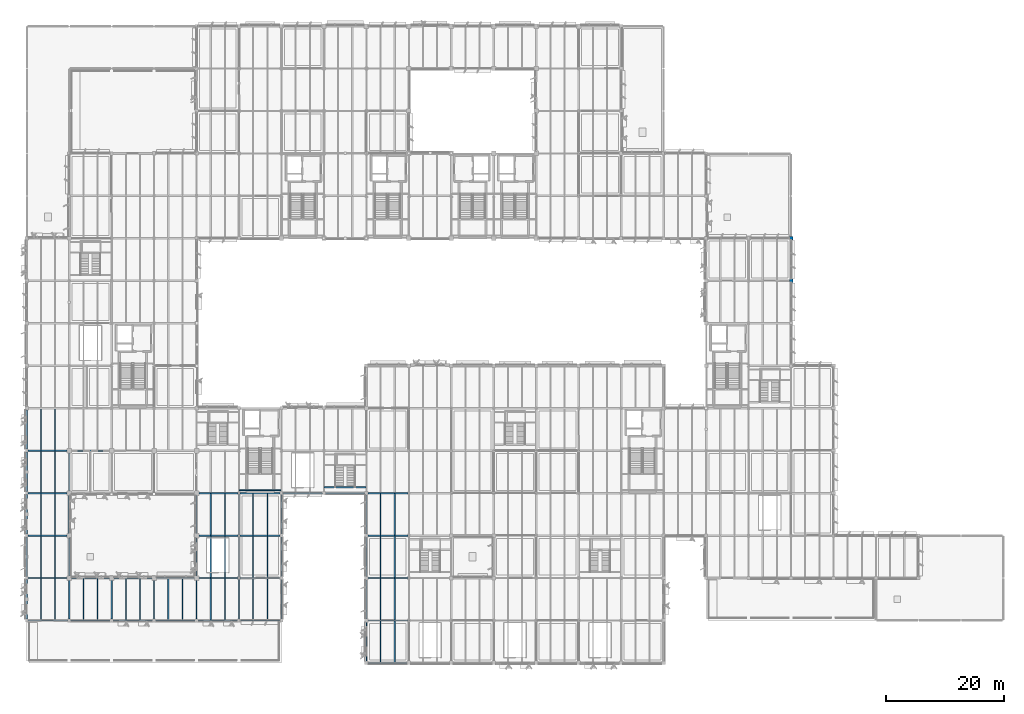
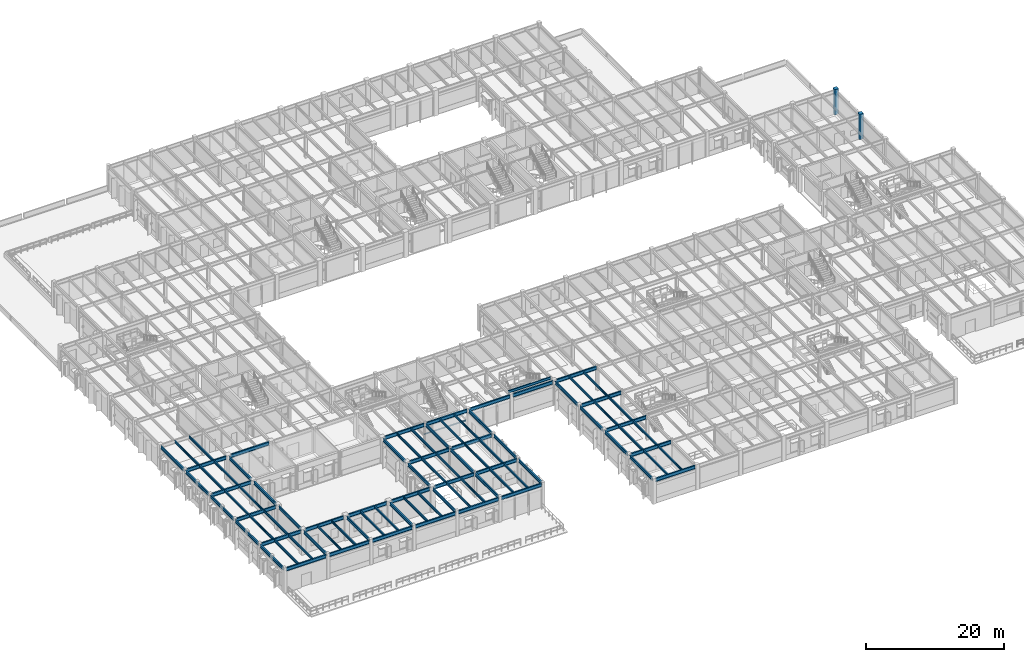
# One storey, part 15 of 92: 89 beams, 2 columns.
"""IFC4 building model written with IfcOpenShell, lengths in metres."""

from ifc_helpers import new_model, si_unit, direction, frame, origin, origin_2d, place, context, subcontext, project, spatial, rectangle, i_section, extrude, material, material_profile, profile_set, type_object, element, save


model = new_model("IFC4")

# Units and contexts
model_context = context("Model", 3, precision=1e-05, world=origin(), true_north=direction((0.0, 1.0)))
body_context = subcontext(model_context, "Body", "Model", "MODEL_VIEW")
ifc_project = project(units=[si_unit("LENGTHUNIT", "METRE"), si_unit("AREAUNIT", "SQUARE_METRE"), si_unit("VOLUMEUNIT", "CUBIC_METRE"), si_unit("PLANEANGLEUNIT", "RADIAN"), si_unit("MASSUNIT", "GRAM", prefix="KILO")], contexts=[model_context])

# Site, building, storey
site_placement = place(None, origin())
site = spatial("IfcSite", under=ifc_project, at=site_placement, CompositionType="ELEMENT")
building_placement = place(site_placement, origin())
building = spatial("IfcBuilding", under=site, at=building_placement, Name="Sillqori Civic Hall", CompositionType="ELEMENT")
storey_placement = place(building_placement, frame((0.0, 0.0, 5.39990234375)))
storey = spatial("IfcBuildingStorey", under=building, at=storey_placement, Name="L02", CompositionType="ELEMENT", Elevation=5.39990234375)

# Columns
ifc_material_1 = material(Name="Concrete C35/45 (H35)", Category="concrete")
ifc_material_profile_1 = material_profile(ifc_material_1, rectangle(XDim=0.60009765625, YDim=0.60009765625, at=origin_2d()), Name="RC 600x600")
ifc_profile_set_1 = profile_set([ifc_material_profile_1], Name="Concrete C35/45 (H35)")
column_type = type_object("IfcColumnType", Name="COL-RC600", PredefinedType="COLUMN", material=ifc_profile_set_1)
for number, where, z_axis, x_axis, name in (
    (1, (136.800048828125, 72.0, 0.0), (0.0, 0.0, 1.0), (1.0, 0.0, 0.0), "L02 column 19-10"),
    (2, (136.800048828125, 79.199951171875, 0.0), (0.0, 0.0, 1.0), (1.0, 0.0, 0.0), "L02 column 19-11"),
):
    element("IfcColumn", number, at=place(storey_placement, frame(where, z_axis=z_axis, x_axis=x_axis)), inside=storey, type_object=column_type, Name=name, PredefinedType="COLUMN", context=body_context, shape_type="SweptSolid", body=[
        extrude(rectangle(XDim=0.60009765625, YDim=0.60009765625, at=origin_2d()), origin(), (0.0, 0.0, 1.0), 4.5),
    ])

# Beams
ifc_material_2 = material(Name="Steel ASTM A992", Category="steel")
ifc_material_profile_2 = material_profile(ifc_material_2, i_section(OverallWidth=0.19091796875, OverallDepth=0.4599609375, WebThickness=0.010009765625, FlangeThickness=0.01611328125, FilletRadius=0.012939453125, at=origin_2d()), Name="W18X55")
ifc_profile_set_2 = profile_set([ifc_material_profile_2], Name="Steel ASTM A992")
beam_type_1 = type_object("IfcBeamType", Name="BM-W18X55", PredefinedType="BEAM", material=ifc_profile_set_2)
beam_1_placement = place(storey_placement, frame((57.639892578125, 37.0, 4.0751953125), z_axis=(1.0, 0.0, 0.0), x_axis=(0.0, 1.0, 0.0)))
element("IfcBeam", 3, at=beam_1_placement, inside=storey, type_object=beam_type_1, Name="Council Link Gallery Stair L02-L03 upper arrival trimmer beam", PredefinedType="BEAM", context=body_context, shape_type="SweptSolid", body=[
    extrude(i_section(OverallWidth=0.19091796875, OverallDepth=0.4599609375, WebThickness=0.010009765625, FlangeThickness=0.01611328125, FilletRadius=0.012939453125, at=origin_2d()), origin(), (0.0, 0.0, 1.0), 7.1201171875),
])
ifc_material_profile_3 = material_profile(ifc_material_2, i_section(OverallWidth=0.2099609375, OverallDepth=0.532958984375, WebThickness=0.01025390625, FlangeThickness=0.015625, FilletRadius=0.013916015625, at=origin_2d()), Name="W21X62")
ifc_profile_set_3 = profile_set([ifc_material_profile_3], Name="Steel ASTM A992")
beam_type_2 = type_object("IfcBeamType", Name="BM-W21X62", PredefinedType="BEAM", material=ifc_profile_set_3)
for number, where, z_axis, x_axis, name in (
    (4, (7.199951171875, 14.64404296875, 4.03369140625), (0.0, 1.0, 0.0), (-1.0, 0.0, 0.0), "L02 girder Y 1-2"),
    (5, (7.199951171875, 21.843994140625, 4.03369140625), (0.0, 1.0, 0.0), (-1.0, 0.0, 0.0), "L02 girder Y 1-3"),
):
    element("IfcBeam", number, at=place(storey_placement, frame(where, z_axis=z_axis, x_axis=x_axis)), inside=storey, type_object=beam_type_2, Name=name, PredefinedType="BEAM", context=body_context, shape_type="SweptSolid", body=[
        extrude(i_section(OverallWidth=0.2099609375, OverallDepth=0.532958984375, WebThickness=0.01025390625, FlangeThickness=0.015625, FilletRadius=0.013916015625, at=origin_2d()), origin(), (0.0, 0.0, 1.0), 6.7119140625),
    ])
for number, where, z_axis, x_axis, name in (
    (6, (7.199951171875, 29.0439453125, 4.03369140625), (0.0, 1.0, 0.0), (-1.0, 0.0, 0.0), "L02 girder Y 1-4"),
    (7, (7.199951171875, 36.243896484375, 4.03369140625), (0.0, 1.0, 0.0), (-1.0, 0.0, 0.0), "L02 girder Y 1-5"),
):
    element("IfcBeam", number, at=place(storey_placement, frame(where, z_axis=z_axis, x_axis=x_axis)), inside=storey, type_object=beam_type_2, Name=name, PredefinedType="BEAM", context=body_context, shape_type="SweptSolid", body=[
        extrude(i_section(OverallWidth=0.2099609375, OverallDepth=0.532958984375, WebThickness=0.01025390625, FlangeThickness=0.015625, FilletRadius=0.013916015625, at=origin_2d()), origin(), (0.0, 0.0, 1.0), 6.712158203125),
    ])
beam_2_placement = place(storey_placement, frame((7.199951171875, 43.444091796875, 4.03369140625), z_axis=(0.0, 1.0, 0.0), x_axis=(-1.0, 0.0, 0.0)))
element("IfcBeam", 8, at=beam_2_placement, inside=storey, type_object=beam_type_2, Name="L02 girder Y 1-6", PredefinedType="BEAM", context=body_context, shape_type="SweptSolid", body=[
    extrude(i_section(OverallWidth=0.2099609375, OverallDepth=0.532958984375, WebThickness=0.01025390625, FlangeThickness=0.015625, FilletRadius=0.013916015625, at=origin_2d()), origin(), (0.0, 0.0, 1.0), 6.661865234375),
])
beam_3_placement = place(storey_placement, frame((14.39990234375, 14.64404296875, 4.03369140625), z_axis=(0.0, 1.0, 0.0), x_axis=(-1.0, 0.0, 0.0)))
element("IfcBeam", 9, at=beam_3_placement, inside=storey, type_object=beam_type_2, Name="L02 girder Y 2-2", PredefinedType="BEAM", context=body_context, shape_type="SweptSolid", body=[
    extrude(i_section(OverallWidth=0.2099609375, OverallDepth=0.532958984375, WebThickness=0.01025390625, FlangeThickness=0.015625, FilletRadius=0.013916015625, at=origin_2d()), origin(), (0.0, 0.0, 1.0), 6.5869140625),
])
beam_4_placement = place(storey_placement, frame((14.39990234375, 21.968994140625, 4.03369140625), z_axis=(0.0, 1.0, 0.0), x_axis=(-1.0, 0.0, 0.0)))
element("IfcBeam", 10, at=beam_4_placement, inside=storey, type_object=beam_type_2, Name="L02 girder Y 2-3", PredefinedType="BEAM", context=body_context, shape_type="SweptSolid", body=[
    extrude(i_section(OverallWidth=0.2099609375, OverallDepth=0.532958984375, WebThickness=0.01025390625, FlangeThickness=0.015625, FilletRadius=0.013916015625, at=origin_2d()), origin(), (0.0, 0.0, 1.0), 6.4619140625),
])
for number, where, z_axis, x_axis, name in (
    (11, (14.39990234375, 29.1689453125, 4.03369140625), (0.0, 1.0, 0.0), (-1.0, 0.0, 0.0), "L02 girder Y 2-4"),
    (12, (14.39990234375, 36.368896484375, 4.03369140625), (0.0, 1.0, 0.0), (-1.0, 0.0, 0.0), "L02 girder Y 2-5"),
):
    element("IfcBeam", number, at=place(storey_placement, frame(where, z_axis=z_axis, x_axis=x_axis)), inside=storey, type_object=beam_type_2, Name=name, PredefinedType="BEAM", context=body_context, shape_type="SweptSolid", body=[
        extrude(i_section(OverallWidth=0.2099609375, OverallDepth=0.532958984375, WebThickness=0.01025390625, FlangeThickness=0.015625, FilletRadius=0.013916015625, at=origin_2d()), origin(), (0.0, 0.0, 1.0), 6.462158203125),
    ])
for number, where, z_axis, x_axis, name in (
    (13, (21.60009765625, 14.64404296875, 4.03369140625), (0.0, 1.0, 0.0), (-1.0, 0.0, 0.0), "L02 girder Y 3-2"),
    (14, (28.800048828125, 14.64404296875, 4.03369140625), (0.0, 1.0, 0.0), (-1.0, 0.0, 0.0), "L02 girder Y 4-2"),
    (15, (36.0, 14.64404296875, 4.03369140625), (0.0, 1.0, 0.0), (-1.0, 0.0, 0.0), "L02 girder Y 5-2"),
):
    element("IfcBeam", number, at=place(storey_placement, frame(where, z_axis=z_axis, x_axis=x_axis)), inside=storey, type_object=beam_type_2, Name=name, PredefinedType="BEAM", context=body_context, shape_type="SweptSolid", body=[
        extrude(i_section(OverallWidth=0.2099609375, OverallDepth=0.532958984375, WebThickness=0.01025390625, FlangeThickness=0.015625, FilletRadius=0.013916015625, at=origin_2d()), origin(), (0.0, 0.0, 1.0), 6.5869140625),
    ])
beam_5_placement = place(storey_placement, frame((36.0, 21.968994140625, 4.03369140625), z_axis=(0.0, 1.0, 0.0), x_axis=(-1.0, 0.0, 0.0)))
element("IfcBeam", 16, at=beam_5_placement, inside=storey, type_object=beam_type_2, Name="L02 girder Y 5-3", PredefinedType="BEAM", context=body_context, shape_type="SweptSolid", body=[
    extrude(i_section(OverallWidth=0.2099609375, OverallDepth=0.532958984375, WebThickness=0.01025390625, FlangeThickness=0.015625, FilletRadius=0.013916015625, at=origin_2d()), origin(), (0.0, 0.0, 1.0), 6.4619140625),
])
beam_6_placement = place(storey_placement, frame((36.0, 29.1689453125, 4.03369140625), z_axis=(0.0, 1.0, 0.0), x_axis=(-1.0, 0.0, 0.0)))
element("IfcBeam", 17, at=beam_6_placement, inside=storey, type_object=beam_type_2, Name="L02 girder Y 5-4", PredefinedType="BEAM", context=body_context, shape_type="SweptSolid", body=[
    extrude(i_section(OverallWidth=0.2099609375, OverallDepth=0.532958984375, WebThickness=0.01025390625, FlangeThickness=0.015625, FilletRadius=0.013916015625, at=origin_2d()), origin(), (0.0, 0.0, 1.0), 6.462158203125),
])
beam_7_placement = place(storey_placement, frame((43.199951171875, 14.64404296875, 4.03369140625), z_axis=(0.0, 1.0, 0.0), x_axis=(-1.0, 0.0, 0.0)))
element("IfcBeam", 18, at=beam_7_placement, inside=storey, type_object=beam_type_2, Name="L02 girder Y 6-2", PredefinedType="BEAM", context=body_context, shape_type="SweptSolid", body=[
    extrude(i_section(OverallWidth=0.2099609375, OverallDepth=0.532958984375, WebThickness=0.01025390625, FlangeThickness=0.015625, FilletRadius=0.013916015625, at=origin_2d()), origin(), (0.0, 0.0, 1.0), 6.781494140625),
])
beam_8_placement = place(storey_placement, frame((43.199951171875, 21.7744140625, 4.03369140625), z_axis=(0.0, 1.0, 0.0), x_axis=(-1.0, 0.0, 0.0)))
element("IfcBeam", 19, at=beam_8_placement, inside=storey, type_object=beam_type_2, Name="L02 girder Y 6-3", PredefinedType="BEAM", context=body_context, shape_type="SweptSolid", body=[
    extrude(i_section(OverallWidth=0.2099609375, OverallDepth=0.532958984375, WebThickness=0.01025390625, FlangeThickness=0.015625, FilletRadius=0.013916015625, at=origin_2d()), origin(), (0.0, 0.0, 1.0), 6.85107421875),
])
beam_9_placement = place(storey_placement, frame((43.199951171875, 28.974609375, 4.03369140625), z_axis=(0.0, 1.0, 0.0), x_axis=(-1.0, 0.0, 0.0)))
element("IfcBeam", 20, at=beam_9_placement, inside=storey, type_object=beam_type_2, Name="L02 girder Y 6-4", PredefinedType="BEAM", context=body_context, shape_type="SweptSolid", body=[
    extrude(i_section(OverallWidth=0.2099609375, OverallDepth=0.532958984375, WebThickness=0.01025390625, FlangeThickness=0.015625, FilletRadius=0.013916015625, at=origin_2d()), origin(), (0.0, 0.0, 1.0), 6.850830078125),
])
for number, where, z_axis, x_axis, name in (
    (21, (50.39990234375, 14.64404296875, 4.03369140625), (0.0, 1.0, 0.0), (-1.0, 0.0, 0.0), "L02 girder Y 7-2"),
    (22, (50.39990234375, 21.843994140625, 4.03369140625), (0.0, 1.0, 0.0), (-1.0, 0.0, 0.0), "L02 girder Y 7-3"),
):
    element("IfcBeam", number, at=place(storey_placement, frame(where, z_axis=z_axis, x_axis=x_axis)), inside=storey, type_object=beam_type_2, Name=name, PredefinedType="BEAM", context=body_context, shape_type="SweptSolid", body=[
        extrude(i_section(OverallWidth=0.2099609375, OverallDepth=0.532958984375, WebThickness=0.01025390625, FlangeThickness=0.015625, FilletRadius=0.013916015625, at=origin_2d()), origin(), (0.0, 0.0, 1.0), 6.7119140625),
    ])
beam_10_placement = place(storey_placement, frame((50.39990234375, 29.0439453125, 4.03369140625), z_axis=(0.0, 1.0, 0.0), x_axis=(-1.0, 0.0, 0.0)))
element("IfcBeam", 23, at=beam_10_placement, inside=storey, type_object=beam_type_2, Name="L02 girder Y 7-4", PredefinedType="BEAM", context=body_context, shape_type="SweptSolid", body=[
    extrude(i_section(OverallWidth=0.2099609375, OverallDepth=0.532958984375, WebThickness=0.01025390625, FlangeThickness=0.015625, FilletRadius=0.013916015625, at=origin_2d()), origin(), (0.0, 0.0, 1.0), 6.712158203125),
])
beam_11_placement = place(storey_placement, frame((64.800048828125, 7.493896484375, 4.03369140625), z_axis=(0.0, 1.0, 0.0), x_axis=(-1.0, 0.0, 0.0)))
element("IfcBeam", 24, at=beam_11_placement, inside=storey, type_object=beam_type_2, Name="L02 girder Y 9-1", PredefinedType="BEAM", context=body_context, shape_type="SweptSolid", body=[
    extrude(i_section(OverallWidth=0.2099609375, OverallDepth=0.532958984375, WebThickness=0.01025390625, FlangeThickness=0.015625, FilletRadius=0.013916015625, at=origin_2d()), origin(), (0.0, 0.0, 1.0), 6.612060546875),
])
beam_12_placement = place(storey_placement, frame((64.800048828125, 14.694091796875, 4.03369140625), z_axis=(0.0, 1.0, 0.0), x_axis=(-1.0, 0.0, 0.0)))
element("IfcBeam", 25, at=beam_12_placement, inside=storey, type_object=beam_type_2, Name="L02 girder Y 9-2", PredefinedType="BEAM", context=body_context, shape_type="SweptSolid", body=[
    extrude(i_section(OverallWidth=0.2099609375, OverallDepth=0.532958984375, WebThickness=0.01025390625, FlangeThickness=0.015625, FilletRadius=0.013916015625, at=origin_2d()), origin(), (0.0, 0.0, 1.0), 6.61181640625),
])
for number, where, z_axis, x_axis, name in (
    (26, (64.800048828125, 21.89404296875, 4.03369140625), (0.0, 1.0, 0.0), (-1.0, 0.0, 0.0), "L02 girder Y 9-3"),
    (27, (64.800048828125, 29.093994140625, 4.03369140625), (0.0, 1.0, 0.0), (-1.0, 0.0, 0.0), "L02 girder Y 9-4"),
):
    element("IfcBeam", number, at=place(storey_placement, frame(where, z_axis=z_axis, x_axis=x_axis)), inside=storey, type_object=beam_type_2, Name=name, PredefinedType="BEAM", context=body_context, shape_type="SweptSolid", body=[
        extrude(i_section(OverallWidth=0.2099609375, OverallDepth=0.532958984375, WebThickness=0.01025390625, FlangeThickness=0.015625, FilletRadius=0.013916015625, at=origin_2d()), origin(), (0.0, 0.0, 1.0), 6.612060546875),
    ])
ifc_material_profile_4 = material_profile(ifc_material_2, i_section(OverallWidth=0.22802734375, OverallDepth=0.60205078125, WebThickness=0.010498046875, FlangeThickness=0.014892578125, FilletRadius=0.014892578125, at=origin_2d()), Name="W24X68")
ifc_profile_set_4 = profile_set([ifc_material_profile_4], Name="Steel ASTM A992")
beam_type_3 = type_object("IfcBeamType", Name="BM-W24X68", PredefinedType="BEAM", material=ifc_profile_set_4)
beam_13_placement = place(storey_placement, frame((7.444091796875, 14.39990234375, 3.9990234375), z_axis=(1.0, 0.0, 0.0), x_axis=(0.0, 1.0, 0.0)))
element("IfcBeam", 28, at=beam_13_placement, inside=storey, type_object=beam_type_3, Name="L02 girder X 1-2", PredefinedType="BEAM", context=body_context, shape_type="SweptSolid", body=[
    extrude(i_section(OverallWidth=0.22802734375, OverallDepth=0.60205078125, WebThickness=0.010498046875, FlangeThickness=0.014892578125, FilletRadius=0.014892578125, at=origin_2d()), origin(), (0.0, 0.0, 1.0), 6.7119140625),
])
for number, where, z_axis, x_axis, name in (
    (29, (7.444091796875, 21.60009765625, 3.9990234375), (1.0, 0.0, 0.0), (0.0, 1.0, 0.0), "L02 girder X 1-3"),
    (30, (7.444091796875, 28.800048828125, 3.9990234375), (1.0, 0.0, 0.0), (0.0, 1.0, 0.0), "L02 girder X 1-4"),
    (31, (7.444091796875, 36.0, 3.9990234375), (1.0, 0.0, 0.0), (0.0, 1.0, 0.0), "L02 girder X 1-5"),
    (32, (7.444091796875, 43.199951171875, 3.9990234375), (1.0, 0.0, 0.0), (0.0, 1.0, 0.0), "L02 girder X 1-6"),
):
    element("IfcBeam", number, at=place(storey_placement, frame(where, z_axis=z_axis, x_axis=x_axis)), inside=storey, type_object=beam_type_3, Name=name, PredefinedType="BEAM", context=body_context, shape_type="SweptSolid", body=[
        extrude(i_section(OverallWidth=0.22802734375, OverallDepth=0.60205078125, WebThickness=0.010498046875, FlangeThickness=0.014892578125, FilletRadius=0.014892578125, at=origin_2d()), origin(), (0.0, 0.0, 1.0), 6.5869140625),
    ])
beam_14_placement = place(storey_placement, frame((14.64404296875, 14.39990234375, 3.9990234375), z_axis=(1.0, 0.0, 0.0), x_axis=(0.0, 1.0, 0.0)))
element("IfcBeam", 33, at=beam_14_placement, inside=storey, type_object=beam_type_3, Name="L02 girder X 2-2", PredefinedType="BEAM", context=body_context, shape_type="SweptSolid", body=[
    extrude(i_section(OverallWidth=0.22802734375, OverallDepth=0.60205078125, WebThickness=0.010498046875, FlangeThickness=0.014892578125, FilletRadius=0.014892578125, at=origin_2d()), origin(), (0.0, 0.0, 1.0), 6.7119140625),
])
for number, where, z_axis, x_axis, name in (
    (34, (14.76904296875, 21.60009765625, 3.9990234375), (1.0, 0.0, 0.0), (0.0, 1.0, 0.0), "L02 girder X 2-3"),
    (35, (14.76904296875, 43.199951171875, 3.9990234375), (1.0, 0.0, 0.0), (0.0, 1.0, 0.0), "L02 girder X 2-6"),
):
    element("IfcBeam", number, at=place(storey_placement, frame(where, z_axis=z_axis, x_axis=x_axis)), inside=storey, type_object=beam_type_3, Name=name, PredefinedType="BEAM", context=body_context, shape_type="SweptSolid", body=[
        extrude(i_section(OverallWidth=0.22802734375, OverallDepth=0.60205078125, WebThickness=0.010498046875, FlangeThickness=0.014892578125, FilletRadius=0.014892578125, at=origin_2d()), origin(), (0.0, 0.0, 1.0), 6.4619140625),
    ])
beam_15_placement = place(storey_placement, frame((21.843994140625, 14.39990234375, 3.9990234375), z_axis=(1.0, 0.0, 0.0), x_axis=(0.0, 1.0, 0.0)))
element("IfcBeam", 36, at=beam_15_placement, inside=storey, type_object=beam_type_3, Name="L02 girder X 3-2", PredefinedType="BEAM", context=body_context, shape_type="SweptSolid", body=[
    extrude(i_section(OverallWidth=0.22802734375, OverallDepth=0.60205078125, WebThickness=0.010498046875, FlangeThickness=0.014892578125, FilletRadius=0.014892578125, at=origin_2d()), origin(), (0.0, 0.0, 1.0), 6.7119140625),
])
beam_16_placement = place(storey_placement, frame((21.968994140625, 21.60009765625, 3.9990234375), z_axis=(1.0, 0.0, 0.0), x_axis=(0.0, 1.0, 0.0)))
element("IfcBeam", 37, at=beam_16_placement, inside=storey, type_object=beam_type_3, Name="L02 girder X 3-3", PredefinedType="BEAM", context=body_context, shape_type="SweptSolid", body=[
    extrude(i_section(OverallWidth=0.22802734375, OverallDepth=0.60205078125, WebThickness=0.010498046875, FlangeThickness=0.014892578125, FilletRadius=0.014892578125, at=origin_2d()), origin(), (0.0, 0.0, 1.0), 6.4619140625),
])
beam_17_placement = place(storey_placement, frame((29.0439453125, 14.39990234375, 3.9990234375), z_axis=(1.0, 0.0, 0.0), x_axis=(0.0, 1.0, 0.0)))
element("IfcBeam", 38, at=beam_17_placement, inside=storey, type_object=beam_type_3, Name="L02 girder X 4-2", PredefinedType="BEAM", context=body_context, shape_type="SweptSolid", body=[
    extrude(i_section(OverallWidth=0.22802734375, OverallDepth=0.60205078125, WebThickness=0.010498046875, FlangeThickness=0.014892578125, FilletRadius=0.014892578125, at=origin_2d()), origin(), (0.0, 0.0, 1.0), 6.712158203125),
])
beam_18_placement = place(storey_placement, frame((29.1689453125, 21.60009765625, 3.9990234375), z_axis=(1.0, 0.0, 0.0), x_axis=(0.0, 1.0, 0.0)))
element("IfcBeam", 39, at=beam_18_placement, inside=storey, type_object=beam_type_3, Name="L02 girder X 4-3", PredefinedType="BEAM", context=body_context, shape_type="SweptSolid", body=[
    extrude(i_section(OverallWidth=0.22802734375, OverallDepth=0.60205078125, WebThickness=0.010498046875, FlangeThickness=0.014892578125, FilletRadius=0.014892578125, at=origin_2d()), origin(), (0.0, 0.0, 1.0), 6.462158203125),
])
beam_19_placement = place(storey_placement, frame((36.243896484375, 14.39990234375, 3.9990234375), z_axis=(1.0, 0.0, 0.0), x_axis=(0.0, 1.0, 0.0)))
element("IfcBeam", 40, at=beam_19_placement, inside=storey, type_object=beam_type_3, Name="L02 girder X 5-2", PredefinedType="BEAM", context=body_context, shape_type="SweptSolid", body=[
    extrude(i_section(OverallWidth=0.22802734375, OverallDepth=0.60205078125, WebThickness=0.010498046875, FlangeThickness=0.014892578125, FilletRadius=0.014892578125, at=origin_2d()), origin(), (0.0, 0.0, 1.0), 6.712158203125),
])
for number, where, z_axis, x_axis, name in (
    (41, (36.368896484375, 21.60009765625, 3.9990234375), (1.0, 0.0, 0.0), (0.0, 1.0, 0.0), "L02 girder X 5-3"),
    (42, (36.368896484375, 28.800048828125, 3.9990234375), (1.0, 0.0, 0.0), (0.0, 1.0, 0.0), "L02 girder X 5-4"),
    (43, (36.368896484375, 36.0, 3.9990234375), (1.0, 0.0, 0.0), (0.0, 1.0, 0.0), "L02 girder X 5-5"),
):
    element("IfcBeam", number, at=place(storey_placement, frame(where, z_axis=z_axis, x_axis=x_axis)), inside=storey, type_object=beam_type_3, Name=name, PredefinedType="BEAM", context=body_context, shape_type="SweptSolid", body=[
        extrude(i_section(OverallWidth=0.22802734375, OverallDepth=0.60205078125, WebThickness=0.010498046875, FlangeThickness=0.014892578125, FilletRadius=0.014892578125, at=origin_2d()), origin(), (0.0, 0.0, 1.0), 6.651611328125),
    ])
beam_20_placement = place(storey_placement, frame((43.444091796875, 14.39990234375, 3.9990234375), z_axis=(1.0, 0.0, 0.0), x_axis=(0.0, 1.0, 0.0)))
element("IfcBeam", 44, at=beam_20_placement, inside=storey, type_object=beam_type_3, Name="L02 girder X 6-2", PredefinedType="BEAM", context=body_context, shape_type="SweptSolid", body=[
    extrude(i_section(OverallWidth=0.22802734375, OverallDepth=0.60205078125, WebThickness=0.010498046875, FlangeThickness=0.014892578125, FilletRadius=0.014892578125, at=origin_2d()), origin(), (0.0, 0.0, 1.0), 6.7119140625),
])
for number, where, z_axis, x_axis, name in (
    (45, (43.37939453125, 21.60009765625, 3.9990234375), (1.0, 0.0, 0.0), (0.0, 1.0, 0.0), "L02 girder X 6-3"),
    (46, (43.37939453125, 28.800048828125, 3.9990234375), (1.0, 0.0, 0.0), (0.0, 1.0, 0.0), "L02 girder X 6-4"),
    (47, (43.37939453125, 36.0, 3.9990234375), (1.0, 0.0, 0.0), (0.0, 1.0, 0.0), "L02 girder X 6-5"),
):
    element("IfcBeam", number, at=place(storey_placement, frame(where, z_axis=z_axis, x_axis=x_axis)), inside=storey, type_object=beam_type_3, Name=name, PredefinedType="BEAM", context=body_context, shape_type="SweptSolid", body=[
        extrude(i_section(OverallWidth=0.22802734375, OverallDepth=0.60205078125, WebThickness=0.010498046875, FlangeThickness=0.014892578125, FilletRadius=0.014892578125, at=origin_2d()), origin(), (0.0, 0.0, 1.0), 6.776611328125),
    ])
beam_21_placement = place(storey_placement, frame((50.64404296875, 36.0, 3.9990234375), z_axis=(1.0, 0.0, 0.0), x_axis=(0.0, 1.0, 0.0)))
element("IfcBeam", 48, at=beam_21_placement, inside=storey, type_object=beam_type_3, Name="L02 girder X 7-5", PredefinedType="BEAM", context=body_context, shape_type="SweptSolid", body=[
    extrude(i_section(OverallWidth=0.22802734375, OverallDepth=0.60205078125, WebThickness=0.010498046875, FlangeThickness=0.014892578125, FilletRadius=0.014892578125, at=origin_2d()), origin(), (0.0, 0.0, 1.0), 6.7119140625),
])
beam_22_placement = place(storey_placement, frame((57.843994140625, 36.0, 3.9990234375), z_axis=(1.0, 0.0, 0.0), x_axis=(0.0, 1.0, 0.0)))
element("IfcBeam", 49, at=beam_22_placement, inside=storey, type_object=beam_type_3, Name="L02 girder X 8-5", PredefinedType="BEAM", context=body_context, shape_type="SweptSolid", body=[
    extrude(i_section(OverallWidth=0.22802734375, OverallDepth=0.60205078125, WebThickness=0.010498046875, FlangeThickness=0.014892578125, FilletRadius=0.014892578125, at=origin_2d()), origin(), (0.0, 0.0, 1.0), 6.662109375),
])
beam_23_placement = place(storey_placement, frame((65.093994140625, 7.199951171875, 3.9990234375), z_axis=(1.0, 0.0, 0.0), x_axis=(0.0, 1.0, 0.0)))
element("IfcBeam", 50, at=beam_23_placement, inside=storey, type_object=beam_type_3, Name="L02 girder X 9-1", PredefinedType="BEAM", context=body_context, shape_type="SweptSolid", body=[
    extrude(i_section(OverallWidth=0.22802734375, OverallDepth=0.60205078125, WebThickness=0.010498046875, FlangeThickness=0.014892578125, FilletRadius=0.014892578125, at=origin_2d()), origin(), (0.0, 0.0, 1.0), 6.612060546875),
])
for number, where, z_axis, x_axis, name in (
    (51, (65.093994140625, 14.39990234375, 3.9990234375), (1.0, 0.0, 0.0), (0.0, 1.0, 0.0), "L02 girder X 9-2"),
    (52, (65.093994140625, 21.60009765625, 3.9990234375), (1.0, 0.0, 0.0), (0.0, 1.0, 0.0), "L02 girder X 9-3"),
    (53, (65.093994140625, 28.800048828125, 3.9990234375), (1.0, 0.0, 0.0), (0.0, 1.0, 0.0), "L02 girder X 9-4"),
    (54, (65.093994140625, 36.0, 3.9990234375), (1.0, 0.0, 0.0), (0.0, 1.0, 0.0), "L02 girder X 9-5"),
):
    element("IfcBeam", number, at=place(storey_placement, frame(where, z_axis=z_axis, x_axis=x_axis)), inside=storey, type_object=beam_type_3, Name=name, PredefinedType="BEAM", context=body_context, shape_type="SweptSolid", body=[
        extrude(i_section(OverallWidth=0.22802734375, OverallDepth=0.60205078125, WebThickness=0.010498046875, FlangeThickness=0.014892578125, FilletRadius=0.014892578125, at=origin_2d()), origin(), (0.0, 0.0, 1.0), 6.7255859375),
    ])
ifc_material_profile_5 = material_profile(ifc_material_2, i_section(OverallWidth=0.177978515625, OverallDepth=0.404052734375, WebThickness=0.007568359375, FlangeThickness=0.010986328125, FilletRadius=0.011962890625, at=origin_2d()), Name="W16X36")
ifc_profile_set_5 = profile_set([ifc_material_profile_5], Name="Steel ASTM A992")
beam_type_4 = type_object("IfcBeamType", Name="JS-W16X36", PredefinedType="JOIST", material=ifc_profile_set_5)
for number, where, z_axis, x_axis, name in (
    (55, (9.60009765625, 14.4951171875, 4.09814453125), (0.0, 1.0, 0.0), (-1.0, 0.0, 0.0), "L02 composite joist 1-2.1"),
    (56, (12.0, 14.4951171875, 4.09814453125), (0.0, 1.0, 0.0), (-1.0, 0.0, 0.0), "L02 composite joist 1-2.2"),
):
    element("IfcBeam", number, at=place(storey_placement, frame(where, z_axis=z_axis, x_axis=x_axis)), inside=storey, type_object=beam_type_4, Name=name, PredefinedType="JOIST", context=body_context, shape_type="SweptSolid", body=[
        extrude(i_section(OverallWidth=0.177978515625, OverallDepth=0.404052734375, WebThickness=0.007568359375, FlangeThickness=0.010986328125, FilletRadius=0.011962890625, at=origin_2d()), origin(), (0.0, 0.0, 1.0), 7.009765625),
    ])
for number, where, z_axis, x_axis, name in (
    (57, (9.60009765625, 21.695068359375, 4.09814453125), (0.0, 1.0, 0.0), (-1.0, 0.0, 0.0), "L02 composite joist 1-3.1"),
    (58, (12.0, 21.695068359375, 4.09814453125), (0.0, 1.0, 0.0), (-1.0, 0.0, 0.0), "L02 composite joist 1-3.2"),
    (59, (9.60009765625, 28.89501953125, 4.09814453125), (0.0, 1.0, 0.0), (-1.0, 0.0, 0.0), "L02 composite joist 1-4.1"),
    (60, (12.0, 28.89501953125, 4.09814453125), (0.0, 1.0, 0.0), (-1.0, 0.0, 0.0), "L02 composite joist 1-4.2"),
    (61, (9.60009765625, 36.094970703125, 4.09814453125), (0.0, 1.0, 0.0), (-1.0, 0.0, 0.0), "L02 composite joist 1-5.1"),
    (62, (12.0, 36.094970703125, 4.09814453125), (0.0, 1.0, 0.0), (-1.0, 0.0, 0.0), "L02 composite joist 1-5.2"),
    (63, (9.60009765625, 43.294921875, 4.09814453125), (0.0, 1.0, 0.0), (-1.0, 0.0, 0.0), "L02 composite joist 1-6.1"),
    (64, (12.0, 43.294921875, 4.09814453125), (0.0, 1.0, 0.0), (-1.0, 0.0, 0.0), "L02 composite joist 1-6.2"),
):
    element("IfcBeam", number, at=place(storey_placement, frame(where, z_axis=z_axis, x_axis=x_axis)), inside=storey, type_object=beam_type_4, Name=name, PredefinedType="JOIST", context=body_context, shape_type="SweptSolid", body=[
        extrude(i_section(OverallWidth=0.177978515625, OverallDepth=0.404052734375, WebThickness=0.007568359375, FlangeThickness=0.010986328125, FilletRadius=0.011962890625, at=origin_2d()), origin(), (0.0, 0.0, 1.0), 7.010009765625),
    ])
for number, where, z_axis, x_axis, name in (
    (65, (16.800048828125, 14.4951171875, 4.09814453125), (0.0, 1.0, 0.0), (-1.0, 0.0, 0.0), "L02 composite joist 2-2.1"),
    (66, (19.199951171875, 14.4951171875, 4.09814453125), (0.0, 1.0, 0.0), (-1.0, 0.0, 0.0), "L02 composite joist 2-2.2"),
    (67, (24.0, 14.4951171875, 4.09814453125), (0.0, 1.0, 0.0), (-1.0, 0.0, 0.0), "L02 composite joist 3-2.1"),
    (68, (26.39990234375, 14.4951171875, 4.09814453125), (0.0, 1.0, 0.0), (-1.0, 0.0, 0.0), "L02 composite joist 3-2.2"),
    (69, (31.199951171875, 14.4951171875, 4.09814453125), (0.0, 1.0, 0.0), (-1.0, 0.0, 0.0), "L02 composite joist 4-2.1"),
    (70, (33.60009765625, 14.4951171875, 4.09814453125), (0.0, 1.0, 0.0), (-1.0, 0.0, 0.0), "L02 composite joist 4-2.2"),
    (71, (38.39990234375, 14.4951171875, 4.09814453125), (0.0, 1.0, 0.0), (-1.0, 0.0, 0.0), "L02 composite joist 5-2.1"),
    (72, (40.800048828125, 14.4951171875, 4.09814453125), (0.0, 1.0, 0.0), (-1.0, 0.0, 0.0), "L02 composite joist 5-2.2"),
):
    element("IfcBeam", number, at=place(storey_placement, frame(where, z_axis=z_axis, x_axis=x_axis)), inside=storey, type_object=beam_type_4, Name=name, PredefinedType="JOIST", context=body_context, shape_type="SweptSolid", body=[
        extrude(i_section(OverallWidth=0.177978515625, OverallDepth=0.404052734375, WebThickness=0.007568359375, FlangeThickness=0.010986328125, FilletRadius=0.011962890625, at=origin_2d()), origin(), (0.0, 0.0, 1.0), 7.009765625),
    ])
for number, where, z_axis, x_axis, name in (
    (73, (38.39990234375, 21.695068359375, 4.09814453125), (0.0, 1.0, 0.0), (-1.0, 0.0, 0.0), "L02 composite joist 5-3.1"),
    (74, (40.800048828125, 21.695068359375, 4.09814453125), (0.0, 1.0, 0.0), (-1.0, 0.0, 0.0), "L02 composite joist 5-3.2"),
    (75, (38.39990234375, 28.89501953125, 4.09814453125), (0.0, 1.0, 0.0), (-1.0, 0.0, 0.0), "L02 composite joist 5-4.1"),
    (76, (40.800048828125, 28.89501953125, 4.09814453125), (0.0, 1.0, 0.0), (-1.0, 0.0, 0.0), "L02 composite joist 5-4.2"),
):
    element("IfcBeam", number, at=place(storey_placement, frame(where, z_axis=z_axis, x_axis=x_axis)), inside=storey, type_object=beam_type_4, Name=name, PredefinedType="JOIST", context=body_context, shape_type="SweptSolid", body=[
        extrude(i_section(OverallWidth=0.177978515625, OverallDepth=0.404052734375, WebThickness=0.007568359375, FlangeThickness=0.010986328125, FilletRadius=0.011962890625, at=origin_2d()), origin(), (0.0, 0.0, 1.0), 7.010009765625),
    ])
for number, where, z_axis, x_axis, name in (
    (77, (45.60009765625, 14.4951171875, 4.09814453125), (0.0, 1.0, 0.0), (-1.0, 0.0, 0.0), "L02 composite joist 6-2.1"),
    (78, (48.0, 14.4951171875, 4.09814453125), (0.0, 1.0, 0.0), (-1.0, 0.0, 0.0), "L02 composite joist 6-2.2"),
):
    element("IfcBeam", number, at=place(storey_placement, frame(where, z_axis=z_axis, x_axis=x_axis)), inside=storey, type_object=beam_type_4, Name=name, PredefinedType="JOIST", context=body_context, shape_type="SweptSolid", body=[
        extrude(i_section(OverallWidth=0.177978515625, OverallDepth=0.404052734375, WebThickness=0.007568359375, FlangeThickness=0.010986328125, FilletRadius=0.011962890625, at=origin_2d()), origin(), (0.0, 0.0, 1.0), 7.009765625),
    ])
for number, where, z_axis, x_axis, name in (
    (79, (45.60009765625, 21.695068359375, 4.09814453125), (0.0, 1.0, 0.0), (-1.0, 0.0, 0.0), "L02 composite joist 6-3.1"),
    (80, (48.0, 21.695068359375, 4.09814453125), (0.0, 1.0, 0.0), (-1.0, 0.0, 0.0), "L02 composite joist 6-3.2"),
    (81, (45.60009765625, 28.89501953125, 4.09814453125), (0.0, 1.0, 0.0), (-1.0, 0.0, 0.0), "L02 composite joist 6-4.1"),
    (82, (48.0, 28.89501953125, 4.09814453125), (0.0, 1.0, 0.0), (-1.0, 0.0, 0.0), "L02 composite joist 6-4.2"),
    (83, (67.199951171875, 7.294921875, 4.09814453125), (0.0, 1.0, 0.0), (-1.0, 0.0, 0.0), "L02 composite joist 9-1.1"),
    (84, (69.60009765625, 7.294921875, 4.09814453125), (0.0, 1.0, 0.0), (-1.0, 0.0, 0.0), "L02 composite joist 9-1.2"),
):
    element("IfcBeam", number, at=place(storey_placement, frame(where, z_axis=z_axis, x_axis=x_axis)), inside=storey, type_object=beam_type_4, Name=name, PredefinedType="JOIST", context=body_context, shape_type="SweptSolid", body=[
        extrude(i_section(OverallWidth=0.177978515625, OverallDepth=0.404052734375, WebThickness=0.007568359375, FlangeThickness=0.010986328125, FilletRadius=0.011962890625, at=origin_2d()), origin(), (0.0, 0.0, 1.0), 7.010009765625),
    ])
for number, where, z_axis, x_axis, name in (
    (85, (67.199951171875, 14.4951171875, 4.09814453125), (0.0, 1.0, 0.0), (-1.0, 0.0, 0.0), "L02 composite joist 9-2.1"),
    (86, (69.60009765625, 14.4951171875, 4.09814453125), (0.0, 1.0, 0.0), (-1.0, 0.0, 0.0), "L02 composite joist 9-2.2"),
):
    element("IfcBeam", number, at=place(storey_placement, frame(where, z_axis=z_axis, x_axis=x_axis)), inside=storey, type_object=beam_type_4, Name=name, PredefinedType="JOIST", context=body_context, shape_type="SweptSolid", body=[
        extrude(i_section(OverallWidth=0.177978515625, OverallDepth=0.404052734375, WebThickness=0.007568359375, FlangeThickness=0.010986328125, FilletRadius=0.011962890625, at=origin_2d()), origin(), (0.0, 0.0, 1.0), 7.009765625),
    ])
for number, where, z_axis, x_axis, name in (
    (87, (67.199951171875, 21.695068359375, 4.09814453125), (0.0, 1.0, 0.0), (-1.0, 0.0, 0.0), "L02 composite joist 9-3.1"),
    (88, (69.60009765625, 21.695068359375, 4.09814453125), (0.0, 1.0, 0.0), (-1.0, 0.0, 0.0), "L02 composite joist 9-3.2"),
    (89, (67.199951171875, 28.89501953125, 4.09814453125), (0.0, 1.0, 0.0), (-1.0, 0.0, 0.0), "L02 composite joist 9-4.1"),
    (90, (69.60009765625, 28.89501953125, 4.09814453125), (0.0, 1.0, 0.0), (-1.0, 0.0, 0.0), "L02 composite joist 9-4.2"),
):
    element("IfcBeam", number, at=place(storey_placement, frame(where, z_axis=z_axis, x_axis=x_axis)), inside=storey, type_object=beam_type_4, Name=name, PredefinedType="JOIST", context=body_context, shape_type="SweptSolid", body=[
        extrude(i_section(OverallWidth=0.177978515625, OverallDepth=0.404052734375, WebThickness=0.007568359375, FlangeThickness=0.010986328125, FilletRadius=0.011962890625, at=origin_2d()), origin(), (0.0, 0.0, 1.0), 7.010009765625),
    ])
ifc_material_profile_6 = material_profile(ifc_material_2, i_section(OverallWidth=0.133056640625, OverallDepth=0.20703125, WebThickness=0.005859375, FlangeThickness=0.00830078125, FilletRadius=0.008056640625, at=origin_2d()), Name="W8X18")
ifc_profile_set_6 = profile_set([ifc_material_profile_6], Name="Steel ASTM A992")
beam_type_5 = type_object("IfcBeamType", Name="LN-W8X18", PredefinedType="LINTEL", material=ifc_profile_set_6)
beam_24_placement = place(storey_placement, frame((43.25, 36.4951171875, 1.9326171875), z_axis=(1.0, 0.0, 0.0), x_axis=(0.0, 1.0, 0.0)))
element("IfcBeam", 91, at=beam_24_placement, inside=storey, type_object=beam_type_5, Name="L02 C1 stair half-landing steel ledger 1.1", PredefinedType="LINTEL", context=body_context, shape_type="SweptSolid", body=[
    extrude(i_section(OverallWidth=0.133056640625, OverallDepth=0.20703125, WebThickness=0.005859375, FlangeThickness=0.00830078125, FilletRadius=0.008056640625, at=origin_2d()), origin(), (0.0, 0.0, 1.0), 7.10009765625),
])

save(model, "model.ifc")
